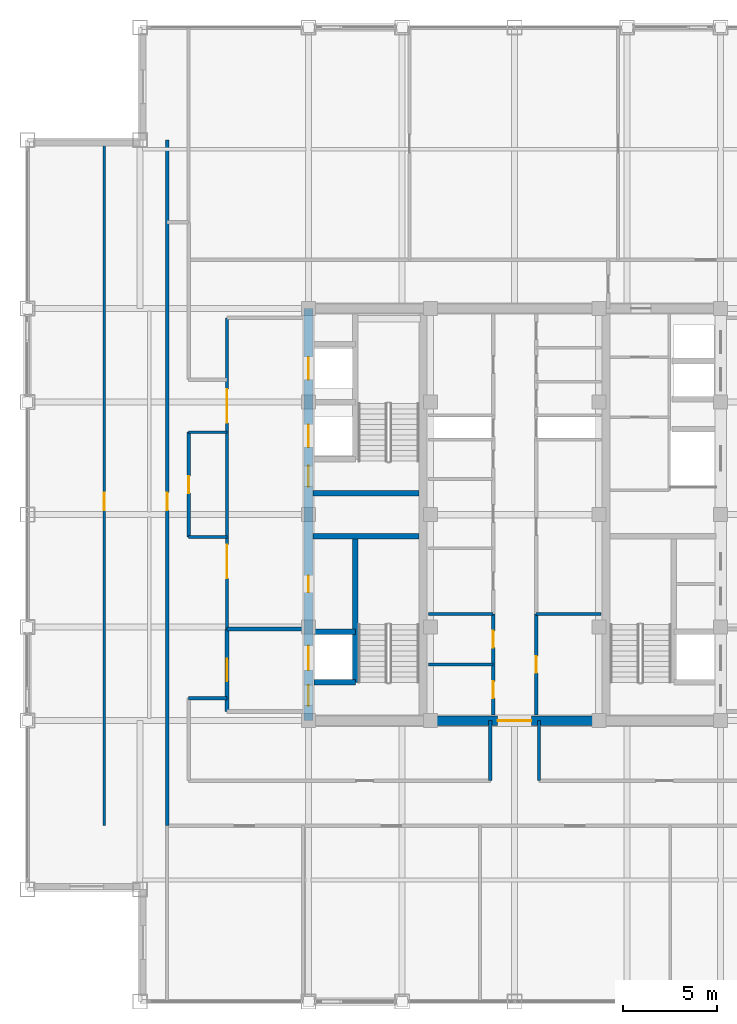
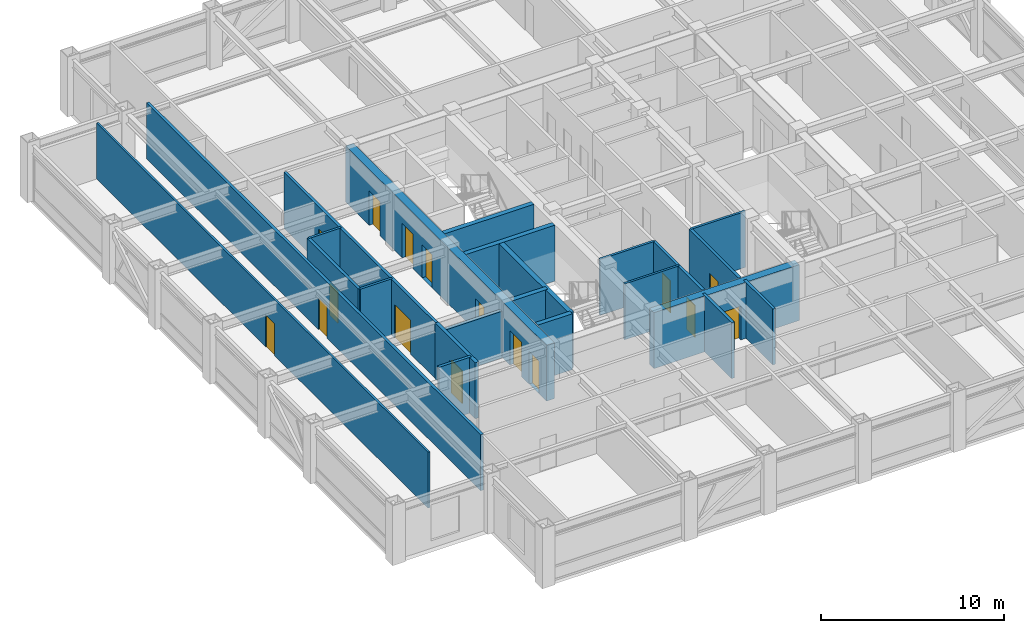
# One storey, part 24 of 28: 23 walls, 16 doors, 16 openings.
"""IFC4 building model written with IfcOpenShell, lengths in metres."""

from ifc_helpers import new_model, si_unit, direction, frame, frame_2d, origin, place, context, subcontext, project, spatial, rectangle, extrude, source, transform, mapped, material, layer, layer_set, type_object, element, fill, save


model = new_model("IFC4")

# Units and contexts
model_context = context("Model", 3, precision=1e-05, world=origin(), true_north=direction((0.0, 1.0)))
body_context = subcontext(model_context, "Body", "Model", "MODEL_VIEW")
ifc_project = project(units=[si_unit("LENGTHUNIT", "METRE"), si_unit("AREAUNIT", "SQUARE_METRE"), si_unit("VOLUMEUNIT", "CUBIC_METRE"), si_unit("PLANEANGLEUNIT", "RADIAN"), si_unit("MASSUNIT", "GRAM", prefix="KILO")], contexts=[model_context])

# Site, building, storey
site_placement = place(None, origin())
site = spatial("IfcSite", under=ifc_project, at=site_placement, CompositionType="ELEMENT")
building_placement = place(site_placement, origin())
building = spatial("IfcBuilding", under=site, at=building_placement, Name="Khorayat Bourse Tower", CompositionType="ELEMENT")
storey_placement = place(building_placement, frame((0.0, 0.0, 330.300048828125)))
storey = spatial("IfcBuildingStorey", under=building, at=storey_placement, Name="L78", CompositionType="ELEMENT", Elevation=330.300048828125)

# Wall, openings, doors
ifc_material_1 = material(Name="Concrete C52/65", Category="concrete")
ifc_layer_1 = layer(ifc_material_1, 0.5)
ifc_layer_set_1 = layer_set([ifc_layer_1], Name="Concrete C52/65")
wall_type_1 = type_object("IfcWallType", Name="WAL-CORE-500", PredefinedType="SHEAR", material=ifc_layer_set_1)
shared_shape_1 = source(origin(), body_context, "Body", "SweptSolid", [
    extrude(rectangle(XDim=22.0, YDim=0.5, at=frame_2d((11.0, 0.0))), origin(), (0.0, 0.0, 1.0), 3.739990234375),
])
wall_1_placement = place(storey_placement, frame((-11.0, -11.0, 0.0), z_axis=(0.0, 0.0, 1.0), x_axis=(0.0, 1.0, 0.0)))
wall_1 = element("IfcWall", 1, at=wall_1_placement, inside=storey, type_object=wall_type_1, Name="L78 Core Shear Wall CORE-W", PredefinedType="SHEAR", context=body_context, shape_type="MappedRepresentation", body=[
    mapped(shared_shape_1, transform((0.0, 0.0, 0.0), scale=1.0)),
])
shared_shape_2 = source(origin(), body_context, "Body", "SweptSolid", [
    extrude(rectangle(XDim=1.10009765625, YDim=2.199951171875, at=frame_2d((0.550048828125, 1.10009765625))), frame((0.0, 0.260009765625, 0.0), z_axis=(0.0, -1.0, 0.0), x_axis=(1.0, 0.0, 0.0)), (0.0, 0.0, 1.0), 0.52001953125),
])
opening_1_placement = place(wall_1_placement, frame((0.800048828125, 0.0, 0.0)))
opening_1 = element("IfcOpeningElement", 2, at=opening_1_placement, cuts=wall_1, Name="Opening DI-01", PredefinedType="OPENING", context=body_context, shape_type="MappedRepresentation", body=[
    mapped(shared_shape_2, transform((0.0, 0.0, 0.0), scale=1.0)),
])
opening_2_placement = place(wall_1_placement, frame((12.5, 0.0, 0.0)))
opening_2 = element("IfcOpeningElement", 3, at=opening_2_placement, cuts=wall_1, Name="Opening DI-01", PredefinedType="OPENING", context=body_context, shape_type="MappedRepresentation", body=[
    mapped(shared_shape_2, transform((0.0, 0.0, 0.0), scale=1.0)),
])
shared_shape_3 = source(origin(), body_context, "Body", "SweptSolid", [
    extrude(rectangle(XDim=0.89990234375, YDim=2.14990234375, at=frame_2d((0.449951171875, 1.074951171875))), frame((0.0, 0.260009765625, 0.0), z_axis=(0.0, -1.0, 0.0), x_axis=(1.0, 0.0, 0.0)), (0.0, 0.0, 1.0), 0.52001953125),
])
opening_3_placement = place(wall_1_placement, frame((6.85009765625, 0.0, 0.0)))
opening_3 = element("IfcOpeningElement", 4, at=opening_3_placement, cuts=wall_1, Name="Opening DI-06", PredefinedType="OPENING", context=body_context, shape_type="MappedRepresentation", body=[
    mapped(shared_shape_3, transform((0.0, 0.0, 0.0), scale=1.0)),
])
shared_shape_4 = source(origin(), body_context, "Body", "SweptSolid", [
    extrude(rectangle(XDim=1.199951171875, YDim=2.300048828125, at=frame_2d((0.60009765625, 1.14990234375))), frame((0.0, 0.260009765625, 0.0), z_axis=(0.0, -1.0, 0.0), x_axis=(1.0, 0.0, 0.0)), (0.0, 0.0, 1.0), 0.52001953125),
])
opening_4_placement = place(wall_1_placement, frame((14.60009765625, 0.0, 0.0)))
opening_4 = element("IfcOpeningElement", 5, at=opening_4_placement, cuts=wall_1, Name="Opening LD-01", PredefinedType="OPENING", context=body_context, shape_type="MappedRepresentation", body=[
    mapped(shared_shape_4, transform((0.0, 0.0, 0.0), scale=1.0)),
])
opening_5_placement = place(wall_1_placement, frame((18.199951171875, 0.0, 0.0)))
opening_5 = element("IfcOpeningElement", 6, at=opening_5_placement, cuts=wall_1, Name="Opening LD-01", PredefinedType="OPENING", context=body_context, shape_type="MappedRepresentation", body=[
    mapped(shared_shape_4, transform((0.0, 0.0, 0.0), scale=1.0)),
])
shared_shape_5 = source(origin(), body_context, "Body", "SweptSolid", [
    extrude(rectangle(XDim=1.300048828125, YDim=2.300048828125, at=frame_2d((0.64990234375, 1.14990234375))), frame((0.0, 0.260009765625, 0.0), z_axis=(0.0, -1.0, 0.0), x_axis=(1.0, 0.0, 0.0)), (0.0, 0.0, 1.0), 0.52001953125),
])
opening_6_placement = place(wall_1_placement, frame((2.699951171875, 0.0, 0.0)))
opening_6 = element("IfcOpeningElement", 7, at=opening_6_placement, cuts=wall_1, Name="Opening LD-02", PredefinedType="OPENING", context=body_context, shape_type="MappedRepresentation", body=[
    mapped(shared_shape_5, transform((0.0, 0.0, 0.0), scale=1.0)),
])
ifc_material_2 = material(Name="Fire-rated steel acoustic leaf", Category="steel")
door_type_1 = type_object("IfcDoorType", Name="DR-INT-STAIR-1100", OperationType="NOTDEFINED", PredefinedType="DOOR", material=ifc_material_2)
shared_shape_6 = source(origin(), body_context, "Body", "SweptSolid", [
    extrude(rectangle(XDim=1.10009765625, YDim=2.199951171875, at=frame_2d((0.550048828125, 1.10009765625))), frame((0.0, 0.02490234375, 0.0), z_axis=(0.0, -1.0, 0.0), x_axis=(1.0, 0.0, 0.0)), (0.0, 0.0, 1.0), 0.050048828125),
])
door_1_placement = place(opening_1_placement, origin())
door_1 = element("IfcDoor", 8, at=door_1_placement, inside=storey, type_object=door_type_1, Name="L78 Exit Stair 1 Door", OperationType="SINGLE_SWING_RIGHT", OverallHeight=2.199951171875, OverallWidth=1.10009765625, PredefinedType="DOOR", context=body_context, shape_type="MappedRepresentation", body=[
    mapped(shared_shape_6, transform((0.0, 0.0, 0.0), scale=1.0)),
])
fill(opening_1, door_1)
door_2_placement = place(opening_2_placement, origin())
door_2 = element("IfcDoor", 9, at=door_2_placement, inside=storey, type_object=door_type_1, Name="L78 Exit Stair 2 Door", OperationType="SINGLE_SWING_RIGHT", OverallHeight=2.199951171875, OverallWidth=1.10009765625, PredefinedType="DOOR", context=body_context, shape_type="MappedRepresentation", body=[
    mapped(shared_shape_6, transform((0.0, 0.0, 0.0), scale=1.0)),
])
fill(opening_2, door_2)
ifc_material_3 = material(Name="Moisture-resistant laminate washroom door")
door_type_2 = type_object("IfcDoorType", Name="DR-INT-WC-900", OperationType="NOTDEFINED", PredefinedType="DOOR", material=ifc_material_3)
shared_shape_7 = source(origin(), body_context, "Body", "SweptSolid", [
    extrude(rectangle(XDim=0.89990234375, YDim=2.14990234375, at=frame_2d((0.449951171875, 1.074951171875))), frame((0.0, 0.02490234375, 0.0), z_axis=(0.0, -1.0, 0.0), x_axis=(1.0, 0.0, 0.0)), (0.0, 0.0, 1.0), 0.050048828125),
])
door_3_placement = place(opening_3_placement, origin())
door_3 = element("IfcDoor", 10, at=door_3_placement, inside=storey, type_object=door_type_2, Name="L78 Electrical Switch Plant Room Door", OperationType="SINGLE_SWING_RIGHT", OverallHeight=2.14990234375, OverallWidth=0.89990234375, PredefinedType="DOOR", context=body_context, shape_type="MappedRepresentation", body=[
    mapped(shared_shape_7, transform((0.0, 0.0, 0.0), scale=1.0)),
])
fill(opening_3, door_3)
ifc_material_4 = material(Name="Brushed bronze stainless-steel sliding door", Category="steel")
door_type_3 = type_object("IfcDoorType", Name="DR-LIFT-PASS-1200", OperationType="NOTDEFINED", PredefinedType="DOOR", material=ifc_material_4)
shared_shape_8 = source(origin(), body_context, "Body", "SweptSolid", [
    extrude(rectangle(XDim=1.199951171875, YDim=2.300048828125, at=frame_2d((0.60009765625, 1.14990234375))), frame((0.0, 0.02490234375, 0.0), z_axis=(0.0, -1.0, 0.0), x_axis=(1.0, 0.0, 0.0)), (0.0, 0.0, 1.0), 0.050048828125),
])
door_4_placement = place(opening_4_placement, origin())
door_4 = element("IfcDoor", 11, at=door_4_placement, inside=storey, type_object=door_type_3, Name="L78 Lift PL-H1 Sliding Landing Door", OperationType="SLIDING_TO_LEFT", OverallHeight=2.300048828125, OverallWidth=1.199951171875, PredefinedType="DOOR", context=body_context, shape_type="MappedRepresentation", body=[
    mapped(shared_shape_8, transform((0.0, 0.0, 0.0), scale=1.0)),
])
fill(opening_4, door_4)
door_5_placement = place(opening_5_placement, origin())
door_5 = element("IfcDoor", 12, at=door_5_placement, inside=storey, type_object=door_type_3, Name="L78 Lift PL-H2 Sliding Landing Door", OperationType="SLIDING_TO_LEFT", OverallHeight=2.300048828125, OverallWidth=1.199951171875, PredefinedType="DOOR", context=body_context, shape_type="MappedRepresentation", body=[
    mapped(shared_shape_8, transform((0.0, 0.0, 0.0), scale=1.0)),
])
fill(opening_5, door_5)
ifc_material_5 = material(Name="Fire-rated stainless-steel sliding landing door", Category="steel")
door_type_4 = type_object("IfcDoorType", Name="DR-LIFT-FF-1300", OperationType="NOTDEFINED", PredefinedType="DOOR", material=ifc_material_5)
shared_shape_9 = source(origin(), body_context, "Body", "SweptSolid", [
    extrude(rectangle(XDim=1.300048828125, YDim=2.300048828125, at=frame_2d((0.64990234375, 1.14990234375))), frame((0.0, 0.02490234375, 0.0), z_axis=(0.0, -1.0, 0.0), x_axis=(1.0, 0.0, 0.0)), (0.0, 0.0, 1.0), 0.050048828125),
])
door_6_placement = place(opening_6_placement, origin())
door_6 = element("IfcDoor", 13, at=door_6_placement, inside=storey, type_object=door_type_4, Name="L78 Lift FFL-01 Sliding Landing Door", OperationType="SLIDING_TO_LEFT", OverallHeight=2.300048828125, OverallWidth=1.300048828125, PredefinedType="DOOR", context=body_context, shape_type="MappedRepresentation", body=[
    mapped(shared_shape_9, transform((0.0, 0.0, 0.0), scale=1.0)),
])
fill(opening_6, door_6)

# Walls
ifc_material_6 = material(Name="Concrete C50/60", Category="concrete")
ifc_layer_2 = layer(ifc_material_6, 0.300048828125)
ifc_layer_set_2 = layer_set([ifc_layer_2], Name="Concrete C50/60")
wall_type_2 = type_object("IfcWallType", Name="WAL-SHAFT-300", PredefinedType="SHEAR", material=ifc_layer_set_2)
shared_shape_10 = source(origin(), body_context, "Body", "SweptSolid", [
    extrude(rectangle(XDim=5.64990234375, YDim=0.300048828125, at=frame_2d((2.824951171875, 0.0))), origin(), (0.0, 0.0, 1.0), 3.739990234375),
])
for number, where, z_axis, x_axis, name in (
    (14, (-10.75, -1.14990234375, 0.0), (0.0, 0.0, 1.0), (1.0, 0.0, 0.0), "L78 Core Shear Wall ST1-DIV"),
    (15, (-10.75, 1.14990234375, 0.0), (0.0, 0.0, 1.0), (1.0, 0.0, 0.0), "L78 Core Shear Wall ST2-DIV"),
):
    element("IfcWall", number, at=place(storey_placement, frame(where, z_axis=z_axis, x_axis=x_axis)), inside=storey, type_object=wall_type_2, Name=name, PredefinedType="SHEAR", context=body_context, shape_type="MappedRepresentation", body=[
        mapped(shared_shape_10, transform((0.0, 0.0, 0.0), scale=1.0)),
    ])

# Wall, opening, door
shared_shape_11 = source(origin(), body_context, "Body", "SweptSolid", [
    extrude(rectangle(XDim=9.2001953125, YDim=0.5, at=frame_2d((4.60009765625, 0.0))), origin(), (0.0, 0.0, 1.0), 3.739990234375),
])
wall_2_placement = place(storey_placement, frame((-4.60009765625, -11.0, 0.0), z_axis=(0.0, 0.0, 1.0), x_axis=(1.0, 0.0, 0.0)))
wall_2 = element("IfcWall", 16, at=wall_2_placement, inside=storey, type_object=wall_type_1, Name="L78 Core Shear Wall CORE-S", PredefinedType="SHEAR", context=body_context, shape_type="MappedRepresentation", body=[
    mapped(shared_shape_11, transform((0.0, 0.0, 0.0), scale=1.0)),
])
shared_shape_12 = source(origin(), body_context, "Body", "SweptSolid", [
    extrude(rectangle(XDim=1.800048828125, YDim=2.25, at=frame_2d((0.89990234375, 1.125))), frame((0.0, 0.260009765625, 0.0), z_axis=(0.0, -1.0, 0.0), x_axis=(1.0, 0.0, 0.0)), (0.0, 0.0, 1.0), 0.52001953125),
])
opening_7_placement = place(wall_2_placement, frame((3.699951171875, 0.0, 0.0)))
opening_7 = element("IfcOpeningElement", 17, at=opening_7_placement, cuts=wall_2, Name="Opening DI-03", PredefinedType="OPENING", context=body_context, shape_type="MappedRepresentation", body=[
    mapped(shared_shape_12, transform((0.0, 0.0, 0.0), scale=1.0)),
])
ifc_material_7 = material(Name="Fire-rated hardwood vision-panel double leaf", Category="wood")
door_type_5 = type_object("IfcDoorType", Name="DR-INT-CORR-1800", OperationType="NOTDEFINED", PredefinedType="DOOR", material=ifc_material_7)
shared_shape_13 = source(origin(), body_context, "Body", "SweptSolid", [
    extrude(rectangle(XDim=1.800048828125, YDim=2.25, at=frame_2d((0.89990234375, 1.125))), frame((0.0, 0.02490234375, 0.0), z_axis=(0.0, -1.0, 0.0), x_axis=(1.0, 0.0, 0.0)), (0.0, 0.0, 1.0), 0.050048828125),
])
door_7_placement = place(opening_7_placement, origin())
door_7 = element("IfcDoor", 18, at=door_7_placement, inside=storey, type_object=door_type_5, Name="L78 Central Core South Passage Door", OperationType="SINGLE_SWING_LEFT", OverallHeight=2.25, OverallWidth=1.800048828125, PredefinedType="DOOR", context=body_context, shape_type="MappedRepresentation", body=[
    mapped(shared_shape_13, transform((0.0, 0.0, 0.0), scale=1.0)),
])
fill(opening_7, door_7)

# Walls
shared_shape_14 = source(origin(), body_context, "Body", "SweptSolid", [
    extrude(rectangle(XDim=7.800048828125, YDim=0.300048828125, at=frame_2d((3.89990234375, 0.0))), origin(), (0.0, 0.0, 1.0), 3.739990234375),
])
wall_3_placement = place(storey_placement, frame((-8.5, -8.949951171875, 0.0), z_axis=(0.0, 0.0, 1.0), x_axis=(0.0, 1.0, 0.0)))
element("IfcWall", 19, at=wall_3_placement, inside=storey, type_object=wall_type_2, Name="L78 Partition WAL-L78-WPIER-SP", PredefinedType="SHEAR", context=body_context, shape_type="MappedRepresentation", body=[
    mapped(shared_shape_14, transform((0.0, 0.0, 0.0), scale=1.0)),
])
shared_shape_15 = source(origin(), body_context, "Body", "SweptSolid", [
    extrude(rectangle(XDim=2.199951171875, YDim=0.300048828125, at=frame_2d((1.10009765625, 0.0))), origin(), (0.0, 0.0, 1.0), 3.739990234375),
])
for number, where, z_axis, x_axis, name in (
    (20, (-10.699951171875, -8.949951171875, 0.0), (0.0, 0.0, 1.0), (1.0, 0.0, 0.0), "L78 Partition WAL-L78-WPIER-FF1S"),
    (21, (-10.699951171875, -6.25, 0.0), (0.0, 0.0, 1.0), (1.0, 0.0, 0.0), "L78 Partition WAL-L78-WPIER-FF1N"),
):
    element("IfcWall", number, at=place(storey_placement, frame(where, z_axis=z_axis, x_axis=x_axis)), inside=storey, type_object=wall_type_2, Name=name, PredefinedType="SHEAR", context=body_context, shape_type="MappedRepresentation", body=[
        mapped(shared_shape_15, transform((0.0, 0.0, 0.0), scale=1.0)),
    ])
ifc_material_8 = material(Name="Aerated concrete blockwork", Category="masonry")
ifc_layer_3 = layer(ifc_material_8, 0.219970703125)
ifc_layer_set_3 = layer_set([ifc_layer_3], Name="Aerated concrete blockwork")
wall_type_3 = type_object("IfcWallType", Name="WAL-PART-FF-220", PredefinedType="PARTITIONING", material=ifc_layer_set_3)
shared_shape_16 = source(origin(), body_context, "Body", "SweptSolid", [
    extrude(rectangle(XDim=4.050048828125, YDim=0.219970703125, at=frame_2d((2.02490234375, 0.0))), origin(), (0.0, 0.0, 1.0), 3.1240234375),
])
wall_4_placement = place(storey_placement, frame((-15.35009765625, -6.10009765625, 0.0), z_axis=(0.0, 0.0, 1.0), x_axis=(1.0, 0.0, 0.0)))
element("IfcWall", 22, at=wall_4_placement, inside=storey, type_object=wall_type_3, Name="L78 Partition WAL-L78-FFLW-N", PredefinedType="PARTITIONING", context=body_context, shape_type="MappedRepresentation", body=[
    mapped(shared_shape_16, transform((0.0, 0.0, 0.0), scale=1.0)),
])

# Wall, opening, door
shared_shape_17 = source(origin(), body_context, "Body", "SweptSolid", [
    extrude(rectangle(XDim=4.39990234375, YDim=0.219970703125, at=frame_2d((2.199951171875, 0.0))), origin(), (0.0, 0.0, 1.0), 3.739990234375),
])
wall_5_placement = place(storey_placement, frame((-15.35009765625, -10.5, 0.0), z_axis=(0.0, 0.0, 1.0), x_axis=(0.0, 1.0, 0.0)))
wall_5 = element("IfcWall", 23, at=wall_5_placement, inside=storey, type_object=wall_type_3, Name="L78 Partition WAL-L78-FFLW-W", PredefinedType="PARTITIONING", context=body_context, shape_type="MappedRepresentation", body=[
    mapped(shared_shape_17, transform((0.0, 0.0, 0.0), scale=1.0)),
])
shared_shape_18 = source(origin(), body_context, "Body", "SweptSolid", [
    extrude(rectangle(XDim=1.199951171875, YDim=2.199951171875, at=frame_2d((0.60009765625, 1.10009765625))), frame((0.0, 0.119873046875, 0.0), z_axis=(0.0, -1.0, 0.0), x_axis=(1.0, 0.0, 0.0)), (0.0, 0.0, 1.0), 0.239990234375),
])
opening_8_placement = place(wall_5_placement, frame((1.60009765625, 0.0, 0.0)))
opening_8 = element("IfcOpeningElement", 24, at=opening_8_placement, cuts=wall_5, Name="Opening DI-02", PredefinedType="OPENING", context=body_context, shape_type="MappedRepresentation", body=[
    mapped(shared_shape_18, transform((0.0, 0.0, 0.0), scale=1.0)),
])
ifc_material_9 = material(Name="Fire-rated steel double-seal leaf", Category="steel")
door_type_6 = type_object("IfcDoorType", Name="DR-INT-FFLOBBY-1200", OperationType="NOTDEFINED", PredefinedType="DOOR", material=ifc_material_9)
shared_shape_19 = source(origin(), body_context, "Body", "SweptSolid", [
    extrude(rectangle(XDim=1.199951171875, YDim=2.199951171875, at=frame_2d((0.60009765625, 1.10009765625))), frame((0.0, 0.02490234375, 0.0), z_axis=(0.0, -1.0, 0.0), x_axis=(1.0, 0.0, 0.0)), (0.0, 0.0, 1.0), 0.050048828125),
])
door_8_placement = place(opening_8_placement, origin())
door_8 = element("IfcDoor", 25, at=door_8_placement, inside=storey, type_object=door_type_6, Name="L78 West Firefighting Lobby Door", OperationType="SINGLE_SWING_LEFT", OverallHeight=2.199951171875, OverallWidth=1.199951171875, PredefinedType="DOOR", context=body_context, shape_type="MappedRepresentation", body=[
    mapped(shared_shape_19, transform((0.0, 0.0, 0.0), scale=1.0)),
])
fill(opening_8, door_8)

# Wall, openings, doors
ifc_material_10 = material(Name="Gypsum plasterboard acoustic stud wall")
ifc_layer_4 = layer(ifc_material_10, 0.179931640625)
ifc_layer_set_4 = layer_set([ifc_layer_4], Name="Gypsum plasterboard acoustic stud wall")
wall_type_4 = type_object("IfcWallType", Name="WAL-PART-CORR-180", PredefinedType="PARTITIONING", material=ifc_layer_set_4)
shared_shape_20 = source(origin(), body_context, "Body", "SweptSolid", [
    extrude(rectangle(XDim=16.60009765625, YDim=0.179931640625, at=frame_2d((8.300048828125, 0.0))), origin(), (0.0, 0.0, 1.0), 3.739990234375),
])
wall_6_placement = place(storey_placement, frame((-15.35009765625, -6.10009765625, 0.0), z_axis=(0.0, 0.0, 1.0), x_axis=(0.0, 1.0, 0.0)))
wall_6 = element("IfcWall", 26, at=wall_6_placement, inside=storey, type_object=wall_type_4, Name="L78 Partition WAL-L78-WLOB-W", PredefinedType="PARTITIONING", context=body_context, shape_type="MappedRepresentation", body=[
    mapped(shared_shape_20, transform((0.0, 0.0, 0.0), scale=1.0)),
])
shared_shape_21 = source(origin(), body_context, "Body", "SweptSolid", [
    extrude(rectangle(XDim=1.800048828125, YDim=2.25, at=frame_2d((0.89990234375, 1.125))), frame((0.0, 0.099853515625, 0.0), z_axis=(0.0, -1.0, 0.0), x_axis=(1.0, 0.0, 0.0)), (0.0, 0.0, 1.0), 0.199951171875),
])
opening_9_placement = place(wall_6_placement, frame((2.699951171875, 0.0, 0.0)))
opening_9 = element("IfcOpeningElement", 27, at=opening_9_placement, cuts=wall_6, Name="Opening DI-03", PredefinedType="OPENING", context=body_context, shape_type="MappedRepresentation", body=[
    mapped(shared_shape_21, transform((0.0, 0.0, 0.0), scale=1.0)),
])
opening_10_placement = place(wall_6_placement, frame((11.0, 0.0, 0.0)))
opening_10 = element("IfcOpeningElement", 28, at=opening_10_placement, cuts=wall_6, Name="Opening DI-03", PredefinedType="OPENING", context=body_context, shape_type="MappedRepresentation", body=[
    mapped(shared_shape_21, transform((0.0, 0.0, 0.0), scale=1.0)),
])
door_9_placement = place(opening_9_placement, origin())
door_9 = element("IfcDoor", 29, at=door_9_placement, inside=storey, type_object=door_type_5, Name="L78 West Core Lobby South Door", OperationType="SINGLE_SWING_LEFT", OverallHeight=2.25, OverallWidth=1.800048828125, PredefinedType="DOOR", context=body_context, shape_type="MappedRepresentation", body=[
    mapped(shared_shape_13, transform((0.0, 0.0, 0.0), scale=1.0)),
])
fill(opening_9, door_9)
door_10_placement = place(opening_10_placement, origin())
door_10 = element("IfcDoor", 30, at=door_10_placement, inside=storey, type_object=door_type_5, Name="L78 West Core Lobby North Door", OperationType="SINGLE_SWING_RIGHT", OverallHeight=2.25, OverallWidth=1.800048828125, PredefinedType="DOOR", context=body_context, shape_type="MappedRepresentation", body=[
    mapped(shared_shape_13, transform((0.0, 0.0, 0.0), scale=1.0)),
])
fill(opening_10, door_10)

# Walls
ifc_material_11 = material(Name="Gypsum plasterboard twin-frame partition")
ifc_layer_5 = layer(ifc_material_11, 0.14990234375)
ifc_layer_set_5 = layer_set([ifc_layer_5], Name="Gypsum plasterboard twin-frame partition")
wall_type_5 = type_object("IfcWallType", Name="WAL-PART-SUITE-150", PredefinedType="PARTITIONING", material=ifc_layer_set_5)
shared_shape_22 = source(origin(), body_context, "Body", "SweptSolid", [
    extrude(rectangle(XDim=3.4501953125, YDim=0.14990234375, at=frame_2d((1.72509765625, 0.0))), origin(), (0.0, 0.0, 1.0), 3.739990234375),
])
for number, where, z_axis, x_axis, name in (
    (31, (-4.60009765625, -5.300048828125, 0.0), (0.0, 0.0, 1.0), (1.0, 0.0, 0.0), "L78 Partition WAL-L78-FB1-NW"),
    (32, (1.14990234375, -5.300048828125, 0.0), (0.0, 0.0, 1.0), (1.0, 0.0, 0.0), "L78 Partition WAL-L78-FB1-NE"),
):
    element("IfcWall", number, at=place(storey_placement, frame(where, z_axis=z_axis, x_axis=x_axis)), inside=storey, type_object=wall_type_5, Name=name, PredefinedType="PARTITIONING", context=body_context, shape_type="MappedRepresentation", body=[
        mapped(shared_shape_22, transform((0.0, 0.0, 0.0), scale=1.0)),
    ])
ifc_material_12 = material(Name="Moisture-resistant masonry partition", Category="masonry")
ifc_layer_6 = layer(ifc_material_12, 0.139892578125)
ifc_layer_set_6 = layer_set([ifc_layer_6], Name="Moisture-resistant masonry partition")
wall_type_6 = type_object("IfcWallType", Name="WAL-PART-WET-140", PredefinedType="PARTITIONING", material=ifc_layer_set_6)
shared_shape_23 = source(origin(), body_context, "Body", "SweptSolid", [
    extrude(rectangle(XDim=3.4501953125, YDim=0.139892578125, at=frame_2d((1.72509765625, 0.0))), origin(), (0.0, 0.0, 1.0), 3.739990234375),
])
wall_7_placement = place(storey_placement, frame((-4.60009765625, -8.0, 0.0), z_axis=(0.0, 0.0, 1.0), x_axis=(1.0, 0.0, 0.0)))
element("IfcWall", 33, at=wall_7_placement, inside=storey, type_object=wall_type_6, Name="L78 Partition WAL-L78-FB1W-D1", PredefinedType="PARTITIONING", context=body_context, shape_type="MappedRepresentation", body=[
    mapped(shared_shape_23, transform((0.0, 0.0, 0.0), scale=1.0)),
])

# Wall, openings, doors
shared_shape_24 = source(origin(), body_context, "Body", "SweptSolid", [
    extrude(rectangle(XDim=5.39990234375, YDim=0.179931640625, at=frame_2d((2.699951171875, 0.0))), origin(), (0.0, 0.0, 1.0), 3.739990234375),
])
wall_8_placement = place(storey_placement, frame((-1.14990234375, -10.699951171875, 0.0), z_axis=(0.0, 0.0, 1.0), x_axis=(0.0, 1.0, 0.0)))
wall_8 = element("IfcWall", 34, at=wall_8_placement, inside=storey, type_object=wall_type_4, Name="L78 Partition WAL-L78-FB1W-L", PredefinedType="PARTITIONING", context=body_context, shape_type="MappedRepresentation", body=[
    mapped(shared_shape_24, transform((0.0, 0.0, 0.0), scale=1.0)),
])
shared_shape_25 = source(origin(), body_context, "Body", "SweptSolid", [
    extrude(rectangle(XDim=0.89990234375, YDim=2.14990234375, at=frame_2d((0.449951171875, 1.074951171875))), frame((0.0, 0.099853515625, 0.0), z_axis=(0.0, -1.0, 0.0), x_axis=(1.0, 0.0, 0.0)), (0.0, 0.0, 1.0), 0.199951171875),
])
opening_11_placement = place(wall_8_placement, frame((0.89990234375, 0.0, 0.0)))
opening_11 = element("IfcOpeningElement", 35, at=opening_11_placement, cuts=wall_8, Name="Opening DI-06", PredefinedType="OPENING", context=body_context, shape_type="MappedRepresentation", body=[
    mapped(shared_shape_25, transform((0.0, 0.0, 0.0), scale=1.0)),
])
opening_12_placement = place(wall_8_placement, frame((3.60009765625, 0.0, 0.0)))
opening_12 = element("IfcOpeningElement", 36, at=opening_12_placement, cuts=wall_8, Name="Opening DI-06", PredefinedType="OPENING", context=body_context, shape_type="MappedRepresentation", body=[
    mapped(shared_shape_25, transform((0.0, 0.0, 0.0), scale=1.0)),
])
door_11_placement = place(opening_11_placement, origin())
door_11 = element("IfcDoor", 37, at=door_11_placement, inside=storey, type_object=door_type_2, Name="L78 Clearing Vault Store Door", OperationType="SINGLE_SWING_RIGHT", OverallHeight=2.14990234375, OverallWidth=0.89990234375, PredefinedType="DOOR", context=body_context, shape_type="MappedRepresentation", body=[
    mapped(shared_shape_7, transform((0.0, 0.0, 0.0), scale=1.0)),
])
fill(opening_11, door_11)
door_12_placement = place(opening_12_placement, origin())
door_12 = element("IfcDoor", 38, at=door_12_placement, inside=storey, type_object=door_type_2, Name="L78 UPS Battery Plant Room Door", OperationType="SINGLE_SWING_LEFT", OverallHeight=2.14990234375, OverallWidth=0.89990234375, PredefinedType="DOOR", context=body_context, shape_type="MappedRepresentation", body=[
    mapped(shared_shape_7, transform((0.0, 0.0, 0.0), scale=1.0)),
])
fill(opening_12, door_12)

# Wall, opening, door
wall_9_placement = place(storey_placement, frame((1.14990234375, -10.699951171875, 0.0), z_axis=(0.0, 0.0, 1.0), x_axis=(0.0, 1.0, 0.0)))
wall_9 = element("IfcWall", 39, at=wall_9_placement, inside=storey, type_object=wall_type_4, Name="L78 Partition WAL-L78-FB1E-L", PredefinedType="PARTITIONING", context=body_context, shape_type="MappedRepresentation", body=[
    mapped(shared_shape_24, transform((0.0, 0.0, 0.0), scale=1.0)),
])
opening_13_placement = place(wall_9_placement, frame((2.25, 0.0, 0.0)))
opening_13 = element("IfcOpeningElement", 40, at=opening_13_placement, cuts=wall_9, Name="Opening DI-06", PredefinedType="OPENING", context=body_context, shape_type="MappedRepresentation", body=[
    mapped(shared_shape_25, transform((0.0, 0.0, 0.0), scale=1.0)),
])
door_13_placement = place(opening_13_placement, origin())
door_13 = element("IfcDoor", 41, at=door_13_placement, inside=storey, type_object=door_type_2, Name="L78 Core Archive Vault Door", OperationType="SINGLE_SWING_RIGHT", OverallHeight=2.14990234375, OverallWidth=0.89990234375, PredefinedType="DOOR", context=body_context, shape_type="MappedRepresentation", body=[
    mapped(shared_shape_7, transform((0.0, 0.0, 0.0), scale=1.0)),
])
fill(opening_13, door_13)

shared_shape_26 = source(origin(), body_context, "Body", "SweptSolid", [
    extrude(rectangle(XDim=5.599853515625, YDim=0.179931640625, at=frame_2d((2.7998046875, 0.0))), origin(), (0.0, 0.0, 1.0), 3.739990234375),
])
wall_10_placement = place(storey_placement, frame((-17.39990234375, -1.199951171875, 0.0), z_axis=(0.0, 0.0, 1.0), x_axis=(0.0, 1.0, 0.0)))
wall_10 = element("IfcWall", 42, at=wall_10_placement, inside=storey, type_object=wall_type_4, Name="L78 Partition WAL-L78-PKWM-W", PredefinedType="PARTITIONING", context=body_context, shape_type="MappedRepresentation", body=[
    mapped(shared_shape_26, transform((0.0, 0.0, 0.0), scale=1.0)),
])
opening_14_placement = place(wall_10_placement, frame((2.35009765625, 0.0, 0.0)))
opening_14 = element("IfcOpeningElement", 43, at=opening_14_placement, cuts=wall_10, Name="Opening DI-06", PredefinedType="OPENING", context=body_context, shape_type="MappedRepresentation", body=[
    mapped(shared_shape_25, transform((0.0, 0.0, 0.0), scale=1.0)),
])
door_14_placement = place(opening_14_placement, origin())
door_14 = element("IfcDoor", 44, at=door_14_placement, inside=storey, type_object=door_type_2, Name="L78 West Inboard Focus Door", OperationType="SINGLE_SWING_LEFT", OverallHeight=2.14990234375, OverallWidth=0.89990234375, PredefinedType="DOOR", context=body_context, shape_type="MappedRepresentation", body=[
    mapped(shared_shape_7, transform((0.0, 0.0, 0.0), scale=1.0)),
])
fill(opening_14, door_14)

# Walls
shared_shape_27 = source(origin(), body_context, "Body", "SweptSolid", [
    extrude(rectangle(XDim=2.0498046875, YDim=0.14990234375, at=frame_2d((1.02490234375, 0.0))), origin(), (0.0, 0.0, 1.0), 3.739990234375),
])
for number, where, z_axis, x_axis, name in (
    (45, (-17.39990234375, -1.199951171875, 0.0), (0.0, 0.0, 1.0), (1.0, 0.0, 0.0), "L78 Partition WAL-L78-PKWM-S"),
    (46, (-17.39990234375, 4.39990234375, 0.0), (0.0, 0.0, 1.0), (1.0, 0.0, 0.0), "L78 Partition WAL-L78-PKWM-N"),
):
    element("IfcWall", number, at=place(storey_placement, frame(where, z_axis=z_axis, x_axis=x_axis)), inside=storey, type_object=wall_type_5, Name=name, PredefinedType="PARTITIONING", context=body_context, shape_type="MappedRepresentation", body=[
        mapped(shared_shape_27, transform((0.0, 0.0, 0.0), scale=1.0)),
    ])
shared_shape_28 = source(origin(), body_context, "Body", "SweptSolid", [
    extrude(rectangle(XDim=2.0498046875, YDim=0.179931640625, at=frame_2d((1.02490234375, 0.0))), origin(), (0.0, 0.0, 1.0), 3.739990234375),
])
wall_11_placement = place(storey_placement, frame((-17.39990234375, -9.800048828125, 0.0), z_axis=(0.0, 0.0, 1.0), x_axis=(1.0, 0.0, 0.0)))
element("IfcWall", 47, at=wall_11_placement, inside=storey, type_object=wall_type_4, Name="L78 Partition WAL-L78-THRW-S", PredefinedType="PARTITIONING", context=body_context, shape_type="MappedRepresentation", body=[
    mapped(shared_shape_28, transform((0.0, 0.0, 0.0), scale=1.0)),
])

# Wall, opening, door
ifc_material_13 = material(Name="Gypsum plasterboard partition")
ifc_layer_7 = layer(ifc_material_13, 0.125)
ifc_layer_set_7 = layer_set([ifc_layer_7], Name="Gypsum plasterboard partition")
wall_type_7 = type_object("IfcWallType", Name="WAL-PART-ROOM-125", PredefinedType="PARTITIONING", material=ifc_layer_set_7)
shared_shape_29 = source(origin(), body_context, "Body", "SweptSolid", [
    extrude(rectangle(XDim=36.300048828125, YDim=0.125, at=frame_2d((18.14990234375, 0.0))), origin(), (0.0, 0.0, 1.0), 3.739990234375),
])
wall_12_placement = place(storey_placement, frame((-21.902587890625, -16.60009765625, 0.0), z_axis=(0.0, 0.0, 1.0), x_axis=(0.0, 1.0, 0.0)))
wall_12 = element("IfcWall", 48, at=wall_12_placement, inside=storey, type_object=wall_type_7, Name="L78 Partition WAL-L78-WDP-1", PredefinedType="PARTITIONING", context=body_context, shape_type="MappedRepresentation", body=[
    mapped(shared_shape_29, transform((0.0, 0.0, 0.0), scale=1.0)),
])
shared_shape_30 = source(origin(), body_context, "Body", "SweptSolid", [
    extrude(rectangle(XDim=0.949951171875, YDim=2.14990234375, at=frame_2d((0.47509765625, 1.074951171875))), frame((0.0, 0.072509765625, 0.0), z_axis=(0.0, -1.0, 0.0), x_axis=(1.0, 0.0, 0.0)), (0.0, 0.0, 1.0), 0.14501953125),
])
opening_15_placement = place(wall_12_placement, frame((16.824951171875, 0.0, 0.0)))
opening_15 = element("IfcOpeningElement", 49, at=opening_15_placement, cuts=wall_12, Name="Opening DI-05", PredefinedType="OPENING", context=body_context, shape_type="MappedRepresentation", body=[
    mapped(shared_shape_30, transform((0.0, 0.0, 0.0), scale=1.0)),
])
ifc_material_14 = material(Name="Acoustic oak veneer office door")
door_type_7 = type_object("IfcDoorType", Name="DR-INT-OFFICE-950", OperationType="NOTDEFINED", PredefinedType="DOOR", material=ifc_material_14)
shared_shape_31 = source(origin(), body_context, "Body", "SweptSolid", [
    extrude(rectangle(XDim=0.949951171875, YDim=2.14990234375, at=frame_2d((0.47509765625, 1.074951171875))), frame((0.0, 0.02490234375, 0.0), z_axis=(0.0, -1.0, 0.0), x_axis=(1.0, 0.0, 0.0)), (0.0, 0.0, 1.0), 0.050048828125),
])
door_15_placement = place(opening_15_placement, origin())
door_15 = element("IfcDoor", 50, at=door_15_placement, inside=storey, type_object=door_type_7, Name="L78 Executive Boardroom W1B Door", OperationType="SINGLE_SWING_RIGHT", OverallHeight=2.14990234375, OverallWidth=0.949951171875, PredefinedType="DOOR", context=body_context, shape_type="MappedRepresentation", body=[
    mapped(shared_shape_31, transform((0.0, 0.0, 0.0), scale=1.0)),
])
fill(opening_15, door_15)

# Walls
shared_shape_32 = source(origin(), body_context, "Body", "SweptSolid", [
    extrude(rectangle(XDim=3.199951171875, YDim=0.179931640625, at=frame_2d((1.60009765625, 0.0))), origin(), (0.0, 0.0, 1.0), 3.739990234375),
])
for number, where, z_axis, x_axis, name in (
    (51, (-1.300048828125, -14.199951171875, 0.0), (0.0, 0.0, 1.0), (0.0, 1.0, 0.0), "L78 Partition WAL-L78-PKSW-E"),
    (52, (1.300048828125, -14.199951171875, 0.0), (0.0, 0.0, 1.0), (0.0, 1.0, 0.0), "L78 Partition WAL-L78-PKSE-W"),
):
    element("IfcWall", number, at=place(storey_placement, frame(where, z_axis=z_axis, x_axis=x_axis)), inside=storey, type_object=wall_type_4, Name=name, PredefinedType="PARTITIONING", context=body_context, shape_type="MappedRepresentation", body=[
        mapped(shared_shape_32, transform((0.0, 0.0, 0.0), scale=1.0)),
    ])

# Wall, opening, door
shared_shape_33 = source(origin(), body_context, "Body", "SweptSolid", [
    extrude(rectangle(XDim=36.60009765625, YDim=0.179931640625, at=frame_2d((18.300048828125, 0.0))), origin(), (0.0, 0.0, 1.0), 3.739990234375),
])
wall_13_placement = place(storey_placement, frame((-18.550048828125, -16.60009765625, 0.0), z_axis=(0.0, 0.0, 1.0), x_axis=(0.0, 1.0, 0.0)))
wall_13 = element("IfcWall", 53, at=wall_13_placement, inside=storey, type_object=wall_type_4, Name="L78 Partition WAL-L78-WCORR", PredefinedType="PARTITIONING", context=body_context, shape_type="MappedRepresentation", body=[
    mapped(shared_shape_33, transform((0.0, 0.0, 0.0), scale=1.0)),
])
shared_shape_34 = source(origin(), body_context, "Body", "SweptSolid", [
    extrude(rectangle(XDim=0.949951171875, YDim=2.14990234375, at=frame_2d((0.47509765625, 1.074951171875))), frame((0.0, 0.099853515625, 0.0), z_axis=(0.0, -1.0, 0.0), x_axis=(1.0, 0.0, 0.0)), (0.0, 0.0, 1.0), 0.199951171875),
])
opening_16_placement = place(wall_13_placement, frame((16.824951171875, 0.0, 0.0)))
opening_16 = element("IfcOpeningElement", 54, at=opening_16_placement, cuts=wall_13, Name="Opening DI-05", PredefinedType="OPENING", context=body_context, shape_type="MappedRepresentation", body=[
    mapped(shared_shape_34, transform((0.0, 0.0, 0.0), scale=1.0)),
])
door_16_placement = place(opening_16_placement, origin())
door_16 = element("IfcDoor", 55, at=door_16_placement, inside=storey, type_object=door_type_7, Name="L78 Clearing Operations Office W1 Door", OperationType="SINGLE_SWING_RIGHT", OverallHeight=2.14990234375, OverallWidth=0.949951171875, PredefinedType="DOOR", context=body_context, shape_type="MappedRepresentation", body=[
    mapped(shared_shape_31, transform((0.0, 0.0, 0.0), scale=1.0)),
])
fill(opening_16, door_16)

save(model, "model.ifc")
